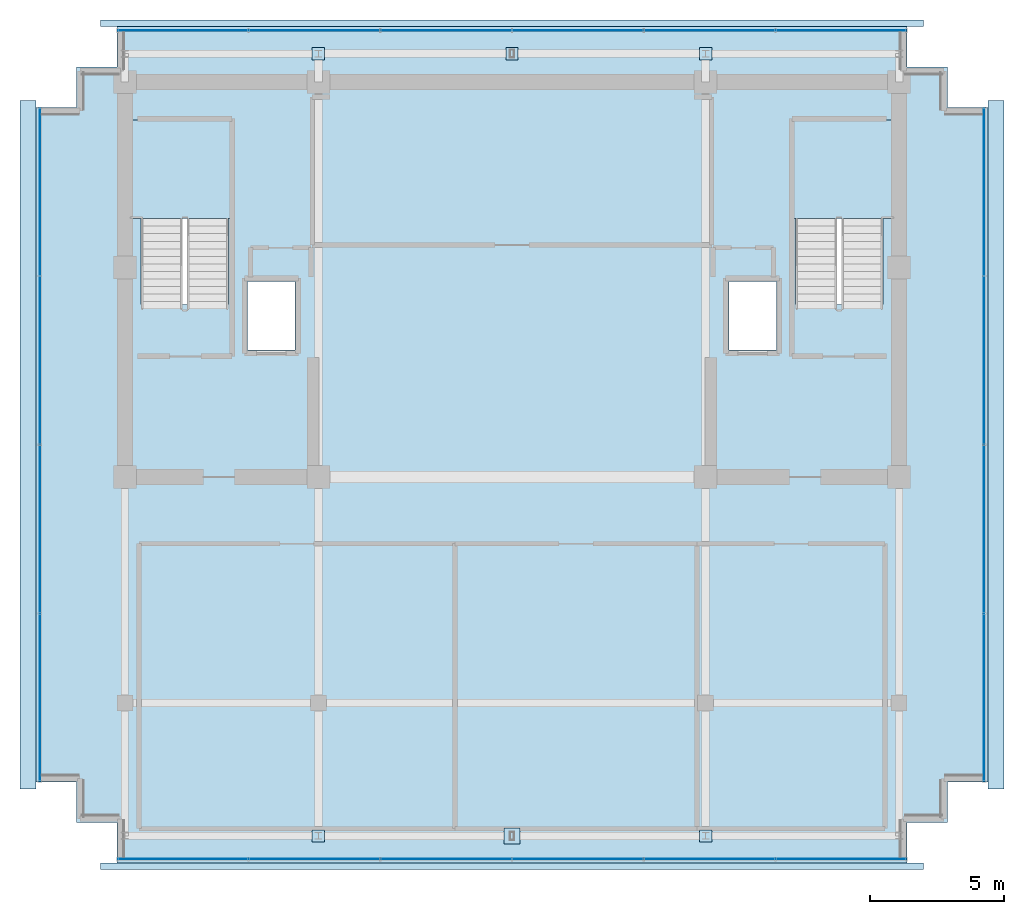
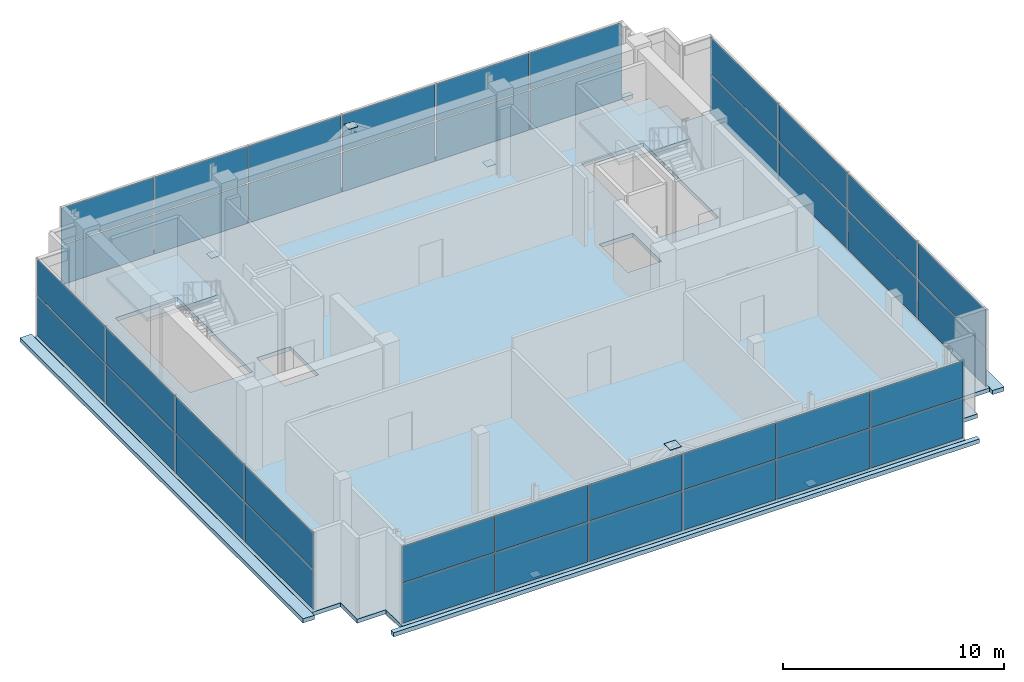
# One storey, part 23 of 27: 46 plates, 7 slabs, 6 elements without a shape of their own.
"""IFC4 building model written with IfcOpenShell, lengths in metres."""

from ifc_helpers import new_model, si_unit, direction, frame, origin, origin_2d, place, context, subcontext, project, spatial, polyline, rectangle, outline, extrude, source, transform, mapped, material, layer, layer_set, type_object, element, aggregate, save


model = new_model("IFC4")

# Units and contexts
model_context = context("Model", 3, precision=1e-05, world=origin(), true_north=direction((0.0, 1.0)))
body_context = subcontext(model_context, "Body", "Model", "MODEL_VIEW")
ifc_project = project(units=[si_unit("LENGTHUNIT", "METRE"), si_unit("AREAUNIT", "SQUARE_METRE"), si_unit("VOLUMEUNIT", "CUBIC_METRE"), si_unit("PLANEANGLEUNIT", "RADIAN"), si_unit("MASSUNIT", "GRAM", prefix="KILO")], contexts=[model_context])

# Site, building, storey
site_placement = place(None, origin())
site = spatial("IfcSite", under=ifc_project, at=site_placement, CompositionType="ELEMENT")
building_placement = place(site_placement, origin())
building = spatial("IfcBuilding", under=site, at=building_placement, Name="Zarnakvel Exchange Tower", CompositionType="ELEMENT")
storey_placement = place(building_placement, frame((0.0, 0.0, 294.60009765625)))
storey = spatial("IfcBuildingStorey", under=building, at=storey_placement, Name="Crown L82", CompositionType="ELEMENT", Elevation=294.60009765625)

# Stair, slab
ifc_material_1 = material(Name="Concrete C40/50", Category="concrete")
stair_type = type_object("IfcStairType", Name="STR-01", PredefinedType="HALF_TURN_STAIR", material=ifc_material_1)
stair_1_placement = place(storey_placement, origin())
stair_1 = element("IfcStair", 1, at=stair_1_placement, inside=storey, type_object=stair_type, Name="Crown L82 Protected Core Exit Stair ST-01", PredefinedType="HALF_TURN_STAIR")
ifc_layer_1 = layer(ifc_material_1, 0.199951171875)
ifc_layer_set_1 = layer_set([ifc_layer_1], Name="Concrete C40/50")
slab_type_1 = type_object("IfcSlabType", Name="LDG-01", PredefinedType="LANDING", material=ifc_layer_set_1)
slab_1_placement = place(storey_placement, frame((0.0, 0.0, 2.099853515625)))
slab_1 = element("IfcSlab", 2, at=slab_1_placement, type_object=slab_type_1, Name="ST-01 landing 1", PredefinedType="LANDING", context=body_context, shape_type="SweptSolid", body=[
    extrude(outline(polyline([(-14.18994140625, 8.409912109375), (-10.4599609375, 8.409912109375), (-10.4599609375, 12.080078125), (-14.18994140625, 12.080078125), (-14.18994140625, 8.409912109375)])), origin(), (0.0, 0.0, 1.0), 0.199951171875),
])
aggregate(stair_1, [slab_1])

stair_2_placement = place(storey_placement, origin())
stair_2 = element("IfcStair", 3, at=stair_2_placement, inside=storey, type_object=stair_type, Name="Crown L82 Protected Core Exit Stair ST-02", PredefinedType="HALF_TURN_STAIR")
slab_2_placement = place(storey_placement, frame((0.0, 0.0, 2.099853515625)))
slab_2 = element("IfcSlab", 4, at=slab_2_placement, type_object=slab_type_1, Name="ST-02 landing 1", PredefinedType="LANDING", context=body_context, shape_type="SweptSolid", body=[
    extrude(outline(polyline([(10.4599609375, 8.409912109375), (14.18994140625, 8.409912109375), (14.18994140625, 12.080078125), (10.4599609375, 12.080078125), (10.4599609375, 8.409912109375)])), origin(), (0.0, 0.0, 1.0), 0.199951171875),
])
aggregate(stair_2, [slab_2])

# Slabs
ifc_layer_2 = layer(ifc_material_1, 0.22998046875)
ifc_layer_set_2 = layer_set([ifc_layer_2], Name="Concrete C40/50")
slab_type_2 = type_object("IfcSlabType", Name="RF-SL1", PredefinedType="ROOF", material=ifc_layer_set_2)
slab_3_placement = place(storey_placement, frame((0.0, 0.0, -0.22998046875)))
element("IfcSlab", 5, at=slab_3_placement, inside=storey, type_object=slab_type_2, Name="Crown L82 Stepped Crown Tier Roof Slab #1", PredefinedType="ROOF", context=body_context, shape_type="SweptSolid", body=[
    extrude(outline(polyline([(15.300048828125, -15.800048828125), (-15.300048828125, -15.800048828125), (-15.300048828125, -15.550048828125), (-14.7099609375, -15.550048828125), (-14.7099609375, -15.56005859375), (14.7099609375, -15.56005859375), (14.7099609375, -15.550048828125), (15.300048828125, -15.550048828125), (15.300048828125, -15.800048828125)])), origin(), (0.0, 0.0, 1.0), 0.22998046875),
])
slab_4_placement = place(storey_placement, frame((0.0, 0.0, -0.22998046875)))
element("IfcSlab", 6, at=slab_4_placement, inside=storey, type_object=slab_type_2, Name="Crown L82 Stepped Crown Tier Roof Slab #2", PredefinedType="ROOF", context=body_context, shape_type="SweptSolid", body=[
    extrude(outline(polyline([(-15.300048828125, 15.800048828125), (15.300048828125, 15.800048828125), (15.300048828125, 15.550048828125), (14.7099609375, 15.550048828125), (14.7099609375, 15.56005859375), (-14.7099609375, 15.56005859375), (-14.7099609375, 15.550048828125), (-15.300048828125, 15.550048828125), (-15.300048828125, 15.800048828125)])), origin(), (0.0, 0.0, 1.0), 0.22998046875),
])
slab_5_placement = place(storey_placement, frame((0.0, 0.0, -0.22998046875)))
element("IfcSlab", 7, at=slab_5_placement, inside=storey, type_object=slab_type_2, Name="Crown L82 Stepped Crown Tier Roof Slab #3", PredefinedType="ROOF", context=body_context, shape_type="SweptSolid", body=[
    extrude(outline(polyline([(-17.699951171875, 12.800048828125), (-17.699951171875, 12.56005859375), (-17.7099609375, 12.56005859375), (-17.7099609375, -12.56005859375), (-17.699951171875, -12.56005859375), (-17.699951171875, -12.800048828125), (-18.300048828125, -12.800048828125), (-18.300048828125, 12.800048828125), (-17.699951171875, 12.800048828125)])), origin(), (0.0, 0.0, 1.0), 0.22998046875),
])
slab_6_placement = place(storey_placement, frame((0.0, 0.0, -0.22998046875)))
element("IfcSlab", 8, at=slab_6_placement, inside=storey, type_object=slab_type_2, Name="Crown L82 Stepped Crown Tier Roof Slab #4", PredefinedType="ROOF", context=body_context, shape_type="SweptSolid", body=[
    extrude(outline(polyline([(18.300048828125, 12.800048828125), (18.300048828125, -12.800048828125), (17.699951171875, -12.800048828125), (17.699951171875, -12.56005859375), (17.7099609375, -12.56005859375), (17.7099609375, 12.56005859375), (17.699951171875, 12.56005859375), (17.699951171875, 12.800048828125), (18.300048828125, 12.800048828125)])), origin(), (0.0, 0.0, 1.0), 0.22998046875),
])
ifc_layer_3 = layer(ifc_material_1, 0.219970703125)
ifc_layer_set_3 = layer_set([ifc_layer_3], Name="Concrete C40/50")
slab_type_3 = type_object("IfcSlabType", Name="SL-05", PredefinedType="FLOOR", material=ifc_layer_set_3)
slab_7_placement = place(storey_placement, frame((0.0, 0.0, -0.22021484375)))
element("IfcSlab", 9, at=slab_7_placement, inside=storey, type_object=slab_type_3, Name="Crown L82 Primary Structural Floor Slab", PredefinedType="FLOOR", context=body_context, shape_type="SweptSolid", body=[
    extrude(outline(polyline([(-17.699951171875, -12.550048828125), (-16.199951171875, -12.550048828125), (-16.199951171875, -14.050048828125), (-14.699951171875, -14.050048828125), (-14.699951171875, -15.550048828125), (14.699951171875, -15.550048828125), (14.699951171875, -14.050048828125), (16.199951171875, -14.050048828125), (16.199951171875, -12.550048828125), (17.699951171875, -12.550048828125), (17.699951171875, 12.550048828125), (16.199951171875, 12.550048828125), (16.199951171875, 14.050048828125), (14.699951171875, 14.050048828125), (14.699951171875, 15.550048828125), (-14.699951171875, 15.550048828125), (-14.699951171875, 14.050048828125), (-16.199951171875, 14.050048828125), (-16.199951171875, 12.550048828125), (-17.699951171875, 12.550048828125), (-17.699951171875, -12.550048828125)]), holes=[polyline([(-13.800048828125, 5.2099609375), (-10.5400390625, 5.2099609375), (-10.5400390625, 12.0), (-13.800048828125, 12.0), (-13.800048828125, 5.2099609375)]), polyline([(10.5400390625, 5.2099609375), (13.800048828125, 5.2099609375), (13.800048828125, 12.0), (10.5400390625, 12.0), (10.5400390625, 5.2099609375)]), polyline([(-9.830078125, 3.52001953125), (-8.070068359375, 3.52001953125), (-8.070068359375, 6.080078125), (-9.830078125, 6.080078125), (-9.830078125, 3.52001953125)]), polyline([(8.070068359375, 3.52001953125), (9.830078125, 3.52001953125), (9.830078125, 6.080078125), (8.070068359375, 6.080078125), (8.070068359375, 3.52001953125)])]), origin(), (0.0, 0.0, 1.0), 0.22021484375),
])

# Plates
ifc_material_2 = material(Name="Steel S355", Category="steel")
ifc_layer_4 = layer(ifc_material_2, 0.028076171875)
ifc_layer_set_4 = layer_set([ifc_layer_4], Name="Steel S355")
plate_type_1 = type_object("IfcPlateType", Name="BP-02", PredefinedType="USERDEFINED", material=ifc_layer_set_4)
shared_shape_1 = source(origin(), body_context, "Body", "SweptSolid", [
    extrude(rectangle(XDim=0.4599609375, YDim=0.4599609375, at=origin_2d()), origin(), (0.0, 0.0, 1.0), 0.028076171875),
])
for number, where, z_axis, x_axis, name in (
    (10, (-7.199951171875, -14.550048828125, -0.3740234375), (0.0, 0.0, 1.0), (1.0, 0.0, 0.0), "Crown L82 Crown Member End Cap Plate"),
    (11, (7.199951171875, -14.550048828125, -0.3740234375), (0.0, 0.0, 1.0), (1.0, 0.0, 0.0), "Crown L82 Crown Member End Cap Plate"),
    (12, (-7.199951171875, 14.550048828125, -0.3740234375), (0.0, 0.0, 1.0), (1.0, 0.0, 0.0), "Crown L82 Crown Member End Cap Plate"),
    (13, (0.0, 14.550048828125, 4.22607421875), (0.0, 0.0, 1.0), (1.0, 0.0, 0.0), "Crown L82 Crown Member End Cap Plate"),
    (14, (7.199951171875, 14.550048828125, -0.3740234375), (0.0, 0.0, 1.0), (1.0, 0.0, 0.0), "Crown L82 Crown Member End Cap Plate"),
):
    element("IfcPlate", number, at=place(storey_placement, frame(where, z_axis=z_axis, x_axis=x_axis)), inside=storey, type_object=plate_type_1, Name=name, ObjectType="BASE_PLATE", PredefinedType="USERDEFINED", context=body_context, shape_type="MappedRepresentation", body=[
        mapped(shared_shape_1, transform((0.0, 0.0, 0.0), x_axis=(1.0, 0.0, 0.0), y_axis=(0.0, 1.0, 0.0), z_axis=(0.0, 0.0, 1.0), scale=1.0)),
    ])
ifc_layer_5 = layer(ifc_material_2, 0.02490234375)
ifc_layer_set_5 = layer_set([ifc_layer_5], Name="Steel S355")
plate_type_2 = type_object("IfcPlateType", Name="VN4", PredefinedType="USERDEFINED", material=ifc_layer_set_5)
shared_shape_2 = source(origin(), body_context, "Body", "SweptSolid", [
    extrude(rectangle(XDim=0.580078125, YDim=0.580078125, at=origin_2d()), origin(), (0.0, 0.0, 1.0), 0.02490234375),
])
plate_1_placement = place(storey_placement, frame((0.0, -14.550048828125, 4.2275390625), z_axis=(0.0, 0.0, 1.0), x_axis=(1.0, 0.0, 0.0)))
element("IfcPlate", 15, at=plate_1_placement, inside=storey, type_object=plate_type_2, Name="Crown L82 Stepped Crown Gusset VN4", ObjectType="GUSSET_PLATE", PredefinedType="USERDEFINED", context=body_context, shape_type="MappedRepresentation", body=[
    mapped(shared_shape_2, transform((0.0, 0.0, 0.0), x_axis=(1.0, 0.0, 0.0), y_axis=(0.0, 1.0, 0.0), z_axis=(0.0, 0.0, 1.0), scale=1.0)),
])

# Curtain wall, plates
ifc_material_3 = material(Name="Architectural Bronze Anodised Aluminium", Category="aluminium")
ifc_layer_6 = layer(ifc_material_3, 0.14990234375)
ifc_layer_set_6 = layer_set([ifc_layer_6], Name="Architectural Bronze Anodised Aluminium")
curtain_wall_type = type_object("IfcCurtainWallType", Name="CW-07", PredefinedType="NOTDEFINED", material=ifc_layer_set_6)
curtain_wall_1_placement = place(storey_placement, origin())
curtain_wall_1 = element("IfcCurtainWall", 16, at=curtain_wall_1_placement, inside=storey, type_object=curtain_wall_type, Name="Crown L82 Curtain Wall CW-Crown L82-S (CW-07)", PredefinedType="NOTDEFINED")
ifc_material_4 = material(Name="Insulated Bronze Aluminium Spandrel Panel", Category="aluminium")
ifc_layer_7 = layer(ifc_material_4, 0.02392578125)
ifc_layer_set_7 = layer_set([ifc_layer_7], Name="Insulated Bronze Aluminium Spandrel Panel")
plate_type_3 = type_object("IfcPlateType", Name="CWP-07", PredefinedType="CURTAIN_PANEL", material=ifc_layer_set_7)
shared_shape_3 = source(origin(), body_context, "Body", "SweptSolid", [
    extrude(rectangle(XDim=4.81005859375, YDim=0.02392578125, at=origin_2d()), origin(), (0.0, 0.0, 1.0), 2.17724609375),
])
plate_2_placement = place(storey_placement, frame((-12.235107421875, -15.409912109375, 0.059814453125), z_axis=(0.0, 0.0, 1.0), x_axis=(1.0, 0.0, 0.0)))
plate_2 = element("IfcPlate", 17, at=plate_2_placement, type_object=plate_type_3, Name="CW-07 panel 1.1", PredefinedType="CURTAIN_PANEL", context=body_context, shape_type="MappedRepresentation", body=[
    mapped(shared_shape_3, transform((0.0, 0.0, 0.0), x_axis=(1.0, 0.0, 0.0), y_axis=(0.0, 1.0, 0.0), z_axis=(0.0, 0.0, 1.0), scale=1.0)),
])
plate_3_placement = place(storey_placement, frame((12.235107421875, -15.409912109375, 0.059814453125), z_axis=(0.0, 0.0, 1.0), x_axis=(1.0, 0.0, 0.0)))
plate_3 = element("IfcPlate", 18, at=plate_3_placement, type_object=plate_type_3, Name="CW-07 panel 6.1", PredefinedType="CURTAIN_PANEL", context=body_context, shape_type="MappedRepresentation", body=[
    mapped(shared_shape_3, transform((0.0, 0.0, 0.0), x_axis=(1.0, 0.0, 0.0), y_axis=(0.0, 1.0, 0.0), z_axis=(0.0, 0.0, 1.0), scale=1.0)),
])

curtain_wall_2_placement = place(storey_placement, origin())
curtain_wall_2 = element("IfcCurtainWall", 19, at=curtain_wall_2_placement, inside=storey, type_object=curtain_wall_type, Name="Crown L82 Curtain Wall CW-Crown L82-N (CW-07)", PredefinedType="NOTDEFINED")
plate_4_placement = place(storey_placement, frame((-12.235107421875, 15.409912109375, 0.059814453125), z_axis=(0.0, 0.0, 1.0), x_axis=(1.0, 0.0, 0.0)))
plate_4 = element("IfcPlate", 20, at=plate_4_placement, type_object=plate_type_3, Name="CW-07 panel 1.1", PredefinedType="CURTAIN_PANEL", context=body_context, shape_type="MappedRepresentation", body=[
    mapped(shared_shape_3, transform((0.0, 0.0, 0.0), x_axis=(1.0, 0.0, 0.0), y_axis=(0.0, 1.0, 0.0), z_axis=(0.0, 0.0, 1.0), scale=1.0)),
])
plate_5_placement = place(storey_placement, frame((12.235107421875, 15.409912109375, 0.059814453125), z_axis=(0.0, 0.0, 1.0), x_axis=(1.0, 0.0, 0.0)))
plate_5 = element("IfcPlate", 21, at=plate_5_placement, type_object=plate_type_3, Name="CW-07 panel 6.1", PredefinedType="CURTAIN_PANEL", context=body_context, shape_type="MappedRepresentation", body=[
    mapped(shared_shape_3, transform((0.0, 0.0, 0.0), x_axis=(1.0, 0.0, 0.0), y_axis=(0.0, 1.0, 0.0), z_axis=(0.0, 0.0, 1.0), scale=1.0)),
])

# Plate
shared_shape_4 = source(origin(), body_context, "Body", "SweptSolid", [
    extrude(rectangle(XDim=4.81005859375, YDim=0.02392578125, at=origin_2d()), origin(), (0.0, 0.0, 1.0), 2.002685546875),
])
plate_6_placement = place(storey_placement, frame((-12.235107421875, -15.409912109375, 2.29736328125), z_axis=(0.0, 0.0, 1.0), x_axis=(1.0, 0.0, 0.0)))
plate_6 = element("IfcPlate", 22, at=plate_6_placement, type_object=plate_type_3, Name="CW-07 panel 1.2", PredefinedType="CURTAIN_PANEL", context=body_context, shape_type="MappedRepresentation", body=[
    mapped(shared_shape_4, transform((0.0, 0.0, 0.0), x_axis=(1.0, 0.0, 0.0), y_axis=(0.0, 1.0, 0.0), z_axis=(0.0, 0.0, 1.0), scale=1.0)),
])

plate_7_placement = place(storey_placement, frame((12.235107421875, -15.409912109375, 2.29736328125), z_axis=(0.0, 0.0, 1.0), x_axis=(1.0, 0.0, 0.0)))
plate_7 = element("IfcPlate", 23, at=plate_7_placement, type_object=plate_type_3, Name="CW-07 panel 6.2", PredefinedType="CURTAIN_PANEL", context=body_context, shape_type="MappedRepresentation", body=[
    mapped(shared_shape_4, transform((0.0, 0.0, 0.0), x_axis=(1.0, 0.0, 0.0), y_axis=(0.0, 1.0, 0.0), z_axis=(0.0, 0.0, 1.0), scale=1.0)),
])

plate_8_placement = place(storey_placement, frame((-12.235107421875, 15.409912109375, 2.29736328125), z_axis=(0.0, 0.0, 1.0), x_axis=(1.0, 0.0, 0.0)))
plate_8 = element("IfcPlate", 24, at=plate_8_placement, type_object=plate_type_3, Name="CW-07 panel 1.2", PredefinedType="CURTAIN_PANEL", context=body_context, shape_type="MappedRepresentation", body=[
    mapped(shared_shape_4, transform((0.0, 0.0, 0.0), x_axis=(1.0, 0.0, 0.0), y_axis=(0.0, 1.0, 0.0), z_axis=(0.0, 0.0, 1.0), scale=1.0)),
])

plate_9_placement = place(storey_placement, frame((12.235107421875, 15.409912109375, 2.29736328125), z_axis=(0.0, 0.0, 1.0), x_axis=(1.0, 0.0, 0.0)))
plate_9 = element("IfcPlate", 25, at=plate_9_placement, type_object=plate_type_3, Name="CW-07 panel 6.2", PredefinedType="CURTAIN_PANEL", context=body_context, shape_type="MappedRepresentation", body=[
    mapped(shared_shape_4, transform((0.0, 0.0, 0.0), x_axis=(1.0, 0.0, 0.0), y_axis=(0.0, 1.0, 0.0), z_axis=(0.0, 0.0, 1.0), scale=1.0)),
])

shared_shape_5 = source(origin(), body_context, "Body", "SweptSolid", [
    extrude(rectangle(XDim=4.840087890625, YDim=0.02392578125, at=origin_2d()), origin(), (0.0, 0.0, 1.0), 2.17724609375),
])
plate_10_placement = place(storey_placement, frame((-7.35009765625, -15.409912109375, 0.059814453125), z_axis=(0.0, 0.0, 1.0), x_axis=(1.0, 0.0, 0.0)))
plate_10 = element("IfcPlate", 26, at=plate_10_placement, type_object=plate_type_3, Name="CW-07 panel 2.1", PredefinedType="CURTAIN_PANEL", context=body_context, shape_type="MappedRepresentation", body=[
    mapped(shared_shape_5, transform((0.0, 0.0, 0.0), x_axis=(1.0, 0.0, 0.0), y_axis=(0.0, 1.0, 0.0), z_axis=(0.0, 0.0, 1.0), scale=1.0)),
])

plate_11_placement = place(storey_placement, frame((-2.449951171875, -15.409912109375, 0.059814453125), z_axis=(0.0, 0.0, 1.0), x_axis=(1.0, 0.0, 0.0)))
plate_11 = element("IfcPlate", 27, at=plate_11_placement, type_object=plate_type_3, Name="CW-07 panel 3.1", PredefinedType="CURTAIN_PANEL", context=body_context, shape_type="MappedRepresentation", body=[
    mapped(shared_shape_5, transform((0.0, 0.0, 0.0), x_axis=(1.0, 0.0, 0.0), y_axis=(0.0, 1.0, 0.0), z_axis=(0.0, 0.0, 1.0), scale=1.0)),
])

plate_12_placement = place(storey_placement, frame((2.449951171875, -15.409912109375, 0.059814453125), z_axis=(0.0, 0.0, 1.0), x_axis=(1.0, 0.0, 0.0)))
plate_12 = element("IfcPlate", 28, at=plate_12_placement, type_object=plate_type_3, Name="CW-07 panel 4.1", PredefinedType="CURTAIN_PANEL", context=body_context, shape_type="MappedRepresentation", body=[
    mapped(shared_shape_5, transform((0.0, 0.0, 0.0), x_axis=(1.0, 0.0, 0.0), y_axis=(0.0, 1.0, 0.0), z_axis=(0.0, 0.0, 1.0), scale=1.0)),
])

plate_13_placement = place(storey_placement, frame((7.35009765625, -15.409912109375, 0.059814453125), z_axis=(0.0, 0.0, 1.0), x_axis=(1.0, 0.0, 0.0)))
plate_13 = element("IfcPlate", 29, at=plate_13_placement, type_object=plate_type_3, Name="CW-07 panel 5.1", PredefinedType="CURTAIN_PANEL", context=body_context, shape_type="MappedRepresentation", body=[
    mapped(shared_shape_5, transform((0.0, 0.0, 0.0), x_axis=(1.0, 0.0, 0.0), y_axis=(0.0, 1.0, 0.0), z_axis=(0.0, 0.0, 1.0), scale=1.0)),
])

plate_14_placement = place(storey_placement, frame((-7.35009765625, 15.409912109375, 0.059814453125), z_axis=(0.0, 0.0, 1.0), x_axis=(1.0, 0.0, 0.0)))
plate_14 = element("IfcPlate", 30, at=plate_14_placement, type_object=plate_type_3, Name="CW-07 panel 2.1", PredefinedType="CURTAIN_PANEL", context=body_context, shape_type="MappedRepresentation", body=[
    mapped(shared_shape_5, transform((0.0, 0.0, 0.0), x_axis=(1.0, 0.0, 0.0), y_axis=(0.0, 1.0, 0.0), z_axis=(0.0, 0.0, 1.0), scale=1.0)),
])

plate_15_placement = place(storey_placement, frame((-2.449951171875, 15.409912109375, 0.059814453125), z_axis=(0.0, 0.0, 1.0), x_axis=(1.0, 0.0, 0.0)))
plate_15 = element("IfcPlate", 31, at=plate_15_placement, type_object=plate_type_3, Name="CW-07 panel 3.1", PredefinedType="CURTAIN_PANEL", context=body_context, shape_type="MappedRepresentation", body=[
    mapped(shared_shape_5, transform((0.0, 0.0, 0.0), x_axis=(1.0, 0.0, 0.0), y_axis=(0.0, 1.0, 0.0), z_axis=(0.0, 0.0, 1.0), scale=1.0)),
])

plate_16_placement = place(storey_placement, frame((2.449951171875, 15.409912109375, 0.059814453125), z_axis=(0.0, 0.0, 1.0), x_axis=(1.0, 0.0, 0.0)))
plate_16 = element("IfcPlate", 32, at=plate_16_placement, type_object=plate_type_3, Name="CW-07 panel 4.1", PredefinedType="CURTAIN_PANEL", context=body_context, shape_type="MappedRepresentation", body=[
    mapped(shared_shape_5, transform((0.0, 0.0, 0.0), x_axis=(1.0, 0.0, 0.0), y_axis=(0.0, 1.0, 0.0), z_axis=(0.0, 0.0, 1.0), scale=1.0)),
])

plate_17_placement = place(storey_placement, frame((7.35009765625, 15.409912109375, 0.059814453125), z_axis=(0.0, 0.0, 1.0), x_axis=(1.0, 0.0, 0.0)))
plate_17 = element("IfcPlate", 33, at=plate_17_placement, type_object=plate_type_3, Name="CW-07 panel 5.1", PredefinedType="CURTAIN_PANEL", context=body_context, shape_type="MappedRepresentation", body=[
    mapped(shared_shape_5, transform((0.0, 0.0, 0.0), x_axis=(1.0, 0.0, 0.0), y_axis=(0.0, 1.0, 0.0), z_axis=(0.0, 0.0, 1.0), scale=1.0)),
])

shared_shape_6 = source(origin(), body_context, "Body", "SweptSolid", [
    extrude(rectangle(XDim=4.840087890625, YDim=0.02392578125, at=origin_2d()), origin(), (0.0, 0.0, 1.0), 2.002685546875),
])
plate_18_placement = place(storey_placement, frame((-7.35009765625, -15.409912109375, 2.29736328125), z_axis=(0.0, 0.0, 1.0), x_axis=(1.0, 0.0, 0.0)))
plate_18 = element("IfcPlate", 34, at=plate_18_placement, type_object=plate_type_3, Name="CW-07 panel 2.2", PredefinedType="CURTAIN_PANEL", context=body_context, shape_type="MappedRepresentation", body=[
    mapped(shared_shape_6, transform((0.0, 0.0, 0.0), x_axis=(1.0, 0.0, 0.0), y_axis=(0.0, 1.0, 0.0), z_axis=(0.0, 0.0, 1.0), scale=1.0)),
])

plate_19_placement = place(storey_placement, frame((-2.449951171875, -15.409912109375, 2.29736328125), z_axis=(0.0, 0.0, 1.0), x_axis=(1.0, 0.0, 0.0)))
plate_19 = element("IfcPlate", 35, at=plate_19_placement, type_object=plate_type_3, Name="CW-07 panel 3.2", PredefinedType="CURTAIN_PANEL", context=body_context, shape_type="MappedRepresentation", body=[
    mapped(shared_shape_6, transform((0.0, 0.0, 0.0), x_axis=(1.0, 0.0, 0.0), y_axis=(0.0, 1.0, 0.0), z_axis=(0.0, 0.0, 1.0), scale=1.0)),
])

plate_20_placement = place(storey_placement, frame((2.449951171875, -15.409912109375, 2.29736328125), z_axis=(0.0, 0.0, 1.0), x_axis=(1.0, 0.0, 0.0)))
plate_20 = element("IfcPlate", 36, at=plate_20_placement, type_object=plate_type_3, Name="CW-07 panel 4.2", PredefinedType="CURTAIN_PANEL", context=body_context, shape_type="MappedRepresentation", body=[
    mapped(shared_shape_6, transform((0.0, 0.0, 0.0), x_axis=(1.0, 0.0, 0.0), y_axis=(0.0, 1.0, 0.0), z_axis=(0.0, 0.0, 1.0), scale=1.0)),
])

plate_21_placement = place(storey_placement, frame((7.35009765625, -15.409912109375, 2.29736328125), z_axis=(0.0, 0.0, 1.0), x_axis=(1.0, 0.0, 0.0)))
plate_21 = element("IfcPlate", 37, at=plate_21_placement, type_object=plate_type_3, Name="CW-07 panel 5.2", PredefinedType="CURTAIN_PANEL", context=body_context, shape_type="MappedRepresentation", body=[
    mapped(shared_shape_6, transform((0.0, 0.0, 0.0), x_axis=(1.0, 0.0, 0.0), y_axis=(0.0, 1.0, 0.0), z_axis=(0.0, 0.0, 1.0), scale=1.0)),
])

aggregate(curtain_wall_1, [plate_2, plate_6, plate_10, plate_18, plate_11, plate_19, plate_12, plate_20, plate_13, plate_21, plate_3, plate_7])

plate_22_placement = place(storey_placement, frame((-7.35009765625, 15.409912109375, 2.29736328125), z_axis=(0.0, 0.0, 1.0), x_axis=(1.0, 0.0, 0.0)))
plate_22 = element("IfcPlate", 38, at=plate_22_placement, type_object=plate_type_3, Name="CW-07 panel 2.2", PredefinedType="CURTAIN_PANEL", context=body_context, shape_type="MappedRepresentation", body=[
    mapped(shared_shape_6, transform((0.0, 0.0, 0.0), x_axis=(1.0, 0.0, 0.0), y_axis=(0.0, 1.0, 0.0), z_axis=(0.0, 0.0, 1.0), scale=1.0)),
])

plate_23_placement = place(storey_placement, frame((-2.449951171875, 15.409912109375, 2.29736328125), z_axis=(0.0, 0.0, 1.0), x_axis=(1.0, 0.0, 0.0)))
plate_23 = element("IfcPlate", 39, at=plate_23_placement, type_object=plate_type_3, Name="CW-07 panel 3.2", PredefinedType="CURTAIN_PANEL", context=body_context, shape_type="MappedRepresentation", body=[
    mapped(shared_shape_6, transform((0.0, 0.0, 0.0), x_axis=(1.0, 0.0, 0.0), y_axis=(0.0, 1.0, 0.0), z_axis=(0.0, 0.0, 1.0), scale=1.0)),
])

plate_24_placement = place(storey_placement, frame((2.449951171875, 15.409912109375, 2.29736328125), z_axis=(0.0, 0.0, 1.0), x_axis=(1.0, 0.0, 0.0)))
plate_24 = element("IfcPlate", 40, at=plate_24_placement, type_object=plate_type_3, Name="CW-07 panel 4.2", PredefinedType="CURTAIN_PANEL", context=body_context, shape_type="MappedRepresentation", body=[
    mapped(shared_shape_6, transform((0.0, 0.0, 0.0), x_axis=(1.0, 0.0, 0.0), y_axis=(0.0, 1.0, 0.0), z_axis=(0.0, 0.0, 1.0), scale=1.0)),
])

plate_25_placement = place(storey_placement, frame((7.35009765625, 15.409912109375, 2.29736328125), z_axis=(0.0, 0.0, 1.0), x_axis=(1.0, 0.0, 0.0)))
plate_25 = element("IfcPlate", 41, at=plate_25_placement, type_object=plate_type_3, Name="CW-07 panel 5.2", PredefinedType="CURTAIN_PANEL", context=body_context, shape_type="MappedRepresentation", body=[
    mapped(shared_shape_6, transform((0.0, 0.0, 0.0), x_axis=(1.0, 0.0, 0.0), y_axis=(0.0, 1.0, 0.0), z_axis=(0.0, 0.0, 1.0), scale=1.0)),
])

aggregate(curtain_wall_2, [plate_4, plate_8, plate_14, plate_22, plate_15, plate_23, plate_16, plate_24, plate_17, plate_25, plate_5, plate_9])

# Curtain wall, plates
curtain_wall_3_placement = place(storey_placement, origin())
curtain_wall_3 = element("IfcCurtainWall", 42, at=curtain_wall_3_placement, inside=storey, type_object=curtain_wall_type, Name="Crown L82 Curtain Wall CW-Crown L82-W (CW-07)", PredefinedType="NOTDEFINED")
shared_shape_7 = source(origin(), body_context, "Body", "SweptSolid", [
    extrude(rectangle(XDim=6.18505859375, YDim=0.02392578125, at=origin_2d()), origin(), (0.0, 0.0, 1.0), 2.17724609375),
])
plate_26_placement = place(storey_placement, frame((-17.56005859375, -9.3974609375, 0.059814453125), z_axis=(0.0, 0.0, 1.0), x_axis=(0.0, 1.0, 0.0)))
plate_26 = element("IfcPlate", 43, at=plate_26_placement, type_object=plate_type_3, Name="CW-07 panel 1.1", PredefinedType="CURTAIN_PANEL", context=body_context, shape_type="MappedRepresentation", body=[
    mapped(shared_shape_7, transform((0.0, 0.0, 0.0), x_axis=(1.0, 0.0, 0.0), y_axis=(0.0, 1.0, 0.0), z_axis=(0.0, 0.0, 1.0), scale=1.0)),
])
plate_27_placement = place(storey_placement, frame((-17.56005859375, 9.3974609375, 0.059814453125), z_axis=(0.0, 0.0, 1.0), x_axis=(0.0, 1.0, 0.0)))
plate_27 = element("IfcPlate", 44, at=plate_27_placement, type_object=plate_type_3, Name="CW-07 panel 4.1", PredefinedType="CURTAIN_PANEL", context=body_context, shape_type="MappedRepresentation", body=[
    mapped(shared_shape_7, transform((0.0, 0.0, 0.0), x_axis=(1.0, 0.0, 0.0), y_axis=(0.0, 1.0, 0.0), z_axis=(0.0, 0.0, 1.0), scale=1.0)),
])

curtain_wall_4_placement = place(storey_placement, origin())
curtain_wall_4 = element("IfcCurtainWall", 45, at=curtain_wall_4_placement, inside=storey, type_object=curtain_wall_type, Name="Crown L82 Curtain Wall CW-Crown L82-E (CW-07)", PredefinedType="NOTDEFINED")
plate_28_placement = place(storey_placement, frame((17.56005859375, -9.3974609375, 0.059814453125), z_axis=(0.0, 0.0, 1.0), x_axis=(0.0, 1.0, 0.0)))
plate_28 = element("IfcPlate", 46, at=plate_28_placement, type_object=plate_type_3, Name="CW-07 panel 1.1", PredefinedType="CURTAIN_PANEL", context=body_context, shape_type="MappedRepresentation", body=[
    mapped(shared_shape_7, transform((0.0, 0.0, 0.0), x_axis=(1.0, 0.0, 0.0), y_axis=(0.0, 1.0, 0.0), z_axis=(0.0, 0.0, 1.0), scale=1.0)),
])
plate_29_placement = place(storey_placement, frame((17.56005859375, 9.3974609375, 0.059814453125), z_axis=(0.0, 0.0, 1.0), x_axis=(0.0, 1.0, 0.0)))
plate_29 = element("IfcPlate", 47, at=plate_29_placement, type_object=plate_type_3, Name="CW-07 panel 4.1", PredefinedType="CURTAIN_PANEL", context=body_context, shape_type="MappedRepresentation", body=[
    mapped(shared_shape_7, transform((0.0, 0.0, 0.0), x_axis=(1.0, 0.0, 0.0), y_axis=(0.0, 1.0, 0.0), z_axis=(0.0, 0.0, 1.0), scale=1.0)),
])

# Plate
shared_shape_8 = source(origin(), body_context, "Body", "SweptSolid", [
    extrude(rectangle(XDim=6.18505859375, YDim=0.02392578125, at=origin_2d()), origin(), (0.0, 0.0, 1.0), 2.002685546875),
])
plate_30_placement = place(storey_placement, frame((-17.56005859375, -9.3974609375, 2.29736328125), z_axis=(0.0, 0.0, 1.0), x_axis=(0.0, 1.0, 0.0)))
plate_30 = element("IfcPlate", 48, at=plate_30_placement, type_object=plate_type_3, Name="CW-07 panel 1.2", PredefinedType="CURTAIN_PANEL", context=body_context, shape_type="MappedRepresentation", body=[
    mapped(shared_shape_8, transform((0.0, 0.0, 0.0), x_axis=(1.0, 0.0, 0.0), y_axis=(0.0, 1.0, 0.0), z_axis=(0.0, 0.0, 1.0), scale=1.0)),
])

plate_31_placement = place(storey_placement, frame((-17.56005859375, 9.3974609375, 2.29736328125), z_axis=(0.0, 0.0, 1.0), x_axis=(0.0, 1.0, 0.0)))
plate_31 = element("IfcPlate", 49, at=plate_31_placement, type_object=plate_type_3, Name="CW-07 panel 4.2", PredefinedType="CURTAIN_PANEL", context=body_context, shape_type="MappedRepresentation", body=[
    mapped(shared_shape_8, transform((0.0, 0.0, 0.0), x_axis=(1.0, 0.0, 0.0), y_axis=(0.0, 1.0, 0.0), z_axis=(0.0, 0.0, 1.0), scale=1.0)),
])

plate_32_placement = place(storey_placement, frame((17.56005859375, -9.3974609375, 2.29736328125), z_axis=(0.0, 0.0, 1.0), x_axis=(0.0, 1.0, 0.0)))
plate_32 = element("IfcPlate", 50, at=plate_32_placement, type_object=plate_type_3, Name="CW-07 panel 1.2", PredefinedType="CURTAIN_PANEL", context=body_context, shape_type="MappedRepresentation", body=[
    mapped(shared_shape_8, transform((0.0, 0.0, 0.0), x_axis=(1.0, 0.0, 0.0), y_axis=(0.0, 1.0, 0.0), z_axis=(0.0, 0.0, 1.0), scale=1.0)),
])

plate_33_placement = place(storey_placement, frame((17.56005859375, 9.3974609375, 2.29736328125), z_axis=(0.0, 0.0, 1.0), x_axis=(0.0, 1.0, 0.0)))
plate_33 = element("IfcPlate", 51, at=plate_33_placement, type_object=plate_type_3, Name="CW-07 panel 4.2", PredefinedType="CURTAIN_PANEL", context=body_context, shape_type="MappedRepresentation", body=[
    mapped(shared_shape_8, transform((0.0, 0.0, 0.0), x_axis=(1.0, 0.0, 0.0), y_axis=(0.0, 1.0, 0.0), z_axis=(0.0, 0.0, 1.0), scale=1.0)),
])

shared_shape_9 = source(origin(), body_context, "Body", "SweptSolid", [
    extrude(rectangle(XDim=6.215087890625, YDim=0.02392578125, at=origin_2d()), origin(), (0.0, 0.0, 1.0), 2.17724609375),
])
plate_34_placement = place(storey_placement, frame((-17.56005859375, -3.137451171875, 0.059814453125), z_axis=(0.0, 0.0, 1.0), x_axis=(0.0, 1.0, 0.0)))
plate_34 = element("IfcPlate", 52, at=plate_34_placement, type_object=plate_type_3, Name="CW-07 panel 2.1", PredefinedType="CURTAIN_PANEL", context=body_context, shape_type="MappedRepresentation", body=[
    mapped(shared_shape_9, transform((0.0, 0.0, 0.0), x_axis=(1.0, 0.0, 0.0), y_axis=(0.0, 1.0, 0.0), z_axis=(0.0, 0.0, 1.0), scale=1.0)),
])

plate_35_placement = place(storey_placement, frame((-17.56005859375, 3.137451171875, 0.059814453125), z_axis=(0.0, 0.0, 1.0), x_axis=(0.0, 1.0, 0.0)))
plate_35 = element("IfcPlate", 53, at=plate_35_placement, type_object=plate_type_3, Name="CW-07 panel 3.1", PredefinedType="CURTAIN_PANEL", context=body_context, shape_type="MappedRepresentation", body=[
    mapped(shared_shape_9, transform((0.0, 0.0, 0.0), x_axis=(1.0, 0.0, 0.0), y_axis=(0.0, 1.0, 0.0), z_axis=(0.0, 0.0, 1.0), scale=1.0)),
])

plate_36_placement = place(storey_placement, frame((17.56005859375, -3.137451171875, 0.059814453125), z_axis=(0.0, 0.0, 1.0), x_axis=(0.0, 1.0, 0.0)))
plate_36 = element("IfcPlate", 54, at=plate_36_placement, type_object=plate_type_3, Name="CW-07 panel 2.1", PredefinedType="CURTAIN_PANEL", context=body_context, shape_type="MappedRepresentation", body=[
    mapped(shared_shape_9, transform((0.0, 0.0, 0.0), x_axis=(1.0, 0.0, 0.0), y_axis=(0.0, 1.0, 0.0), z_axis=(0.0, 0.0, 1.0), scale=1.0)),
])

plate_37_placement = place(storey_placement, frame((17.56005859375, 3.137451171875, 0.059814453125), z_axis=(0.0, 0.0, 1.0), x_axis=(0.0, 1.0, 0.0)))
plate_37 = element("IfcPlate", 55, at=plate_37_placement, type_object=plate_type_3, Name="CW-07 panel 3.1", PredefinedType="CURTAIN_PANEL", context=body_context, shape_type="MappedRepresentation", body=[
    mapped(shared_shape_9, transform((0.0, 0.0, 0.0), x_axis=(1.0, 0.0, 0.0), y_axis=(0.0, 1.0, 0.0), z_axis=(0.0, 0.0, 1.0), scale=1.0)),
])

shared_shape_10 = source(origin(), body_context, "Body", "SweptSolid", [
    extrude(rectangle(XDim=6.215087890625, YDim=0.02392578125, at=origin_2d()), origin(), (0.0, 0.0, 1.0), 2.002685546875),
])
plate_38_placement = place(storey_placement, frame((-17.56005859375, -3.137451171875, 2.29736328125), z_axis=(0.0, 0.0, 1.0), x_axis=(0.0, 1.0, 0.0)))
plate_38 = element("IfcPlate", 56, at=plate_38_placement, type_object=plate_type_3, Name="CW-07 panel 2.2", PredefinedType="CURTAIN_PANEL", context=body_context, shape_type="MappedRepresentation", body=[
    mapped(shared_shape_10, transform((0.0, 0.0, 0.0), x_axis=(1.0, 0.0, 0.0), y_axis=(0.0, 1.0, 0.0), z_axis=(0.0, 0.0, 1.0), scale=1.0)),
])

plate_39_placement = place(storey_placement, frame((-17.56005859375, 3.137451171875, 2.29736328125), z_axis=(0.0, 0.0, 1.0), x_axis=(0.0, 1.0, 0.0)))
plate_39 = element("IfcPlate", 57, at=plate_39_placement, type_object=plate_type_3, Name="CW-07 panel 3.2", PredefinedType="CURTAIN_PANEL", context=body_context, shape_type="MappedRepresentation", body=[
    mapped(shared_shape_10, transform((0.0, 0.0, 0.0), x_axis=(1.0, 0.0, 0.0), y_axis=(0.0, 1.0, 0.0), z_axis=(0.0, 0.0, 1.0), scale=1.0)),
])

aggregate(curtain_wall_3, [plate_26, plate_30, plate_34, plate_38, plate_35, plate_39, plate_27, plate_31])

plate_40_placement = place(storey_placement, frame((17.56005859375, -3.137451171875, 2.29736328125), z_axis=(0.0, 0.0, 1.0), x_axis=(0.0, 1.0, 0.0)))
plate_40 = element("IfcPlate", 58, at=plate_40_placement, type_object=plate_type_3, Name="CW-07 panel 2.2", PredefinedType="CURTAIN_PANEL", context=body_context, shape_type="MappedRepresentation", body=[
    mapped(shared_shape_10, transform((0.0, 0.0, 0.0), x_axis=(1.0, 0.0, 0.0), y_axis=(0.0, 1.0, 0.0), z_axis=(0.0, 0.0, 1.0), scale=1.0)),
])

plate_41_placement = place(storey_placement, frame((17.56005859375, 3.137451171875, 2.29736328125), z_axis=(0.0, 0.0, 1.0), x_axis=(0.0, 1.0, 0.0)))
plate_41 = element("IfcPlate", 59, at=plate_41_placement, type_object=plate_type_3, Name="CW-07 panel 3.2", PredefinedType="CURTAIN_PANEL", context=body_context, shape_type="MappedRepresentation", body=[
    mapped(shared_shape_10, transform((0.0, 0.0, 0.0), x_axis=(1.0, 0.0, 0.0), y_axis=(0.0, 1.0, 0.0), z_axis=(0.0, 0.0, 1.0), scale=1.0)),
])

aggregate(curtain_wall_4, [plate_28, plate_32, plate_36, plate_40, plate_37, plate_41, plate_29, plate_33])

save(model, "model.ifc")
